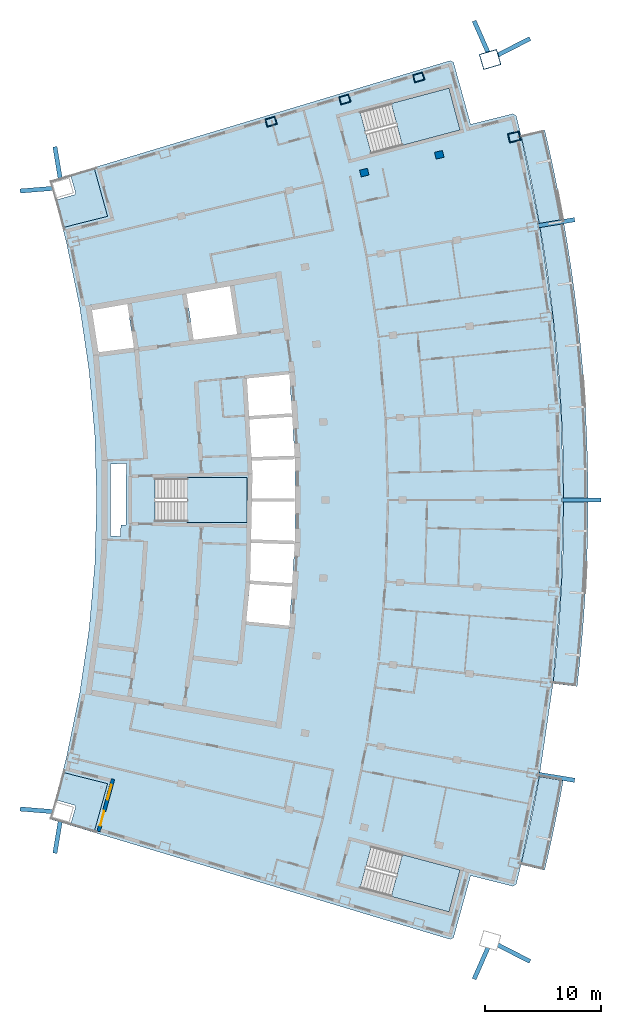
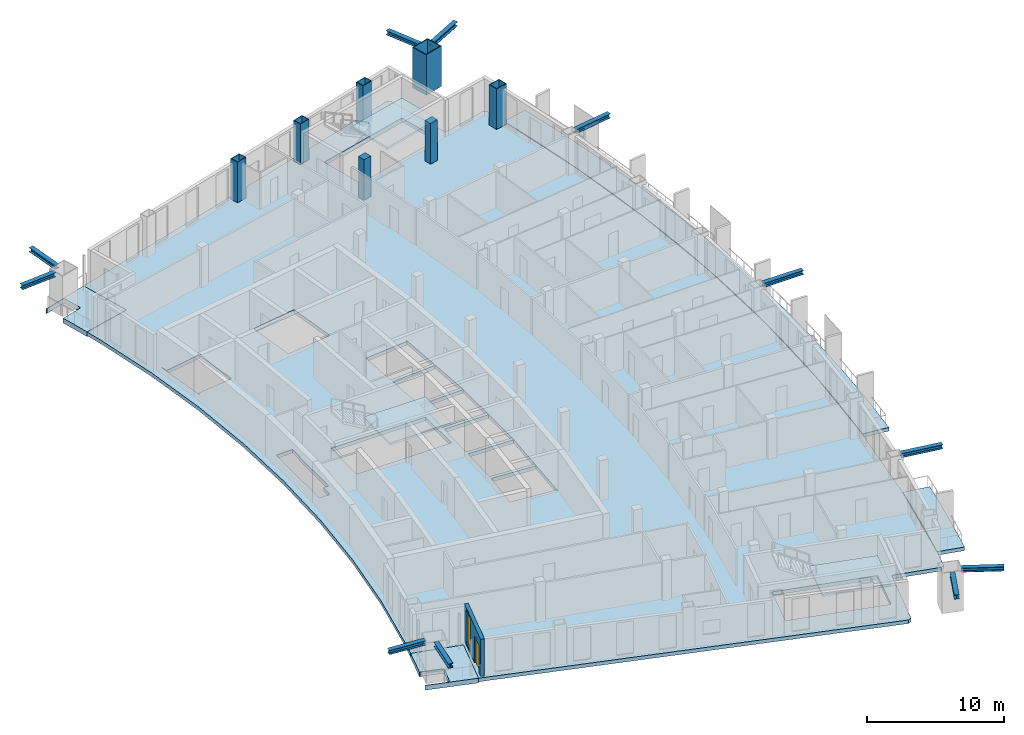
# One storey, part 4 of 15: 11 members, 8 slabs, 7 columns, 1 door, 1 wall, 1 window, 2 openings, 3 elements without a shape of their own.
"""IFC4 building model written with IfcOpenShell, lengths in metres."""

from ifc_helpers import new_model, si_unit, direction, frame, frame_2d, origin, origin_2d, place, context, subcontext, project, spatial, polyline, rectangle, hollow_rectangle, i_section, outline, extrude, material, layer, layer_set, material_profile, profile_set, type_object, element, fill, aggregate, save


model = new_model("IFC4")

# Units and contexts
model_context = context("Model", 3, precision=1e-05, world=origin(), true_north=direction((0.0, 1.0)))
body_context = subcontext(model_context, "Body", "Model", "MODEL_VIEW")
ifc_project = project(units=[si_unit("LENGTHUNIT", "METRE"), si_unit("AREAUNIT", "SQUARE_METRE"), si_unit("VOLUMEUNIT", "CUBIC_METRE"), si_unit("PLANEANGLEUNIT", "RADIAN"), si_unit("MASSUNIT", "GRAM", prefix="KILO")], contexts=[model_context])

# Site, building, storey
site_placement = place(None, origin())
site = spatial("IfcSite", under=ifc_project, at=site_placement, CompositionType="ELEMENT")
building_placement = place(site_placement, origin())
building = spatial("IfcBuilding", under=site, at=building_placement, Name="Alderwake Tower", CompositionType="ELEMENT")
storey_placement = place(building_placement, frame((0.0, 0.0, 285.199951171875)))
storey = spatial("IfcBuildingStorey", under=building, at=storey_placement, Name="L71", CompositionType="ELEMENT", Elevation=285.199951171875)

# Columns
ifc_material_1 = material(Name="Steel ASTM A572 Grade 50 concrete filled C70/85", Category="concrete")
ifc_material_profile_1 = material_profile(ifc_material_1, hollow_rectangle(XDim=0.699951171875, YDim=0.89990234375, WallThickness=0.050048828125, at=origin_2d()), Name="BOX 900X700X50")
ifc_profile_set_1 = profile_set([ifc_material_profile_1], Name="Steel ASTM A572 Grade 50 concrete filled C70/85")
column_type_1 = type_object("IfcColumnType", Name="End column Z5", PredefinedType="COLUMN", material=ifc_profile_set_1)
for number, where, z_axis, x_axis, name in (
    (1, (31.080322265625, 93.72314453125, 0.0), (0.0, 0.0, 1.0), (-0.282582549822, 0.959242984095, 0.0), "Column R12-C2"),
    (2, (37.465576171875, 95.64013671875, 0.0), (0.0, 0.0, 1.0), (-0.282853758087, 0.95916304742, 0.0), "Column R12-C3"),
    (3, (43.8505859375, 97.55712890625, 0.0), (0.0, 0.0, 1.0), (-0.283096487049, 0.95909143413, 0.0), "Column R12-C4"),
):
    element("IfcColumn", number, at=place(storey_placement, frame(where, z_axis=z_axis, x_axis=x_axis)), inside=storey, type_object=column_type_1, Name=name, PredefinedType="COLUMN", context=body_context, shape_type="SweptSolid", body=[
        extrude(hollow_rectangle(XDim=0.699951171875, YDim=0.89990234375, WallThickness=0.050048828125, at=origin_2d()), origin(), (0.0, 0.0, 1.0), 3.60009765625),
    ])
ifc_material_2 = material(Name="Concrete C70/85", Category="concrete")
ifc_material_profile_2 = material_profile(ifc_material_2, rectangle(XDim=0.60009765625, YDim=0.699951171875, at=origin_2d()), Name="RC 700X600")
ifc_profile_set_2 = profile_set([ifc_material_profile_2], Name="Concrete C70/85")
column_type_2 = type_object("IfcColumnType", Name="Interior column Z5", PredefinedType="COLUMN", material=ifc_profile_set_2)
for number, where, z_axis, x_axis, name in (
    (4, (39.14794921875, 89.31689453125, 0.0), (0.0, 0.0, 1.0), (-0.231221547198, 0.972901123502, 0.0), "Column R11-C3"),
    (5, (45.6337890625, 90.8583984375, 0.0), (0.0, 0.0, 1.0), (-0.231221547198, 0.972901123502, 0.0), "Column R11-C4"),
):
    element("IfcColumn", number, at=place(storey_placement, frame(where, z_axis=z_axis, x_axis=x_axis)), inside=storey, type_object=column_type_2, Name=name, PredefinedType="COLUMN", context=body_context, shape_type="SweptSolid", body=[
        extrude(rectangle(XDim=0.60009765625, YDim=0.699951171875, at=origin_2d()), origin(), (0.0, 0.0, 1.0), 3.60009765625),
    ])
ifc_material_3 = material(Name="Steel ASTM A572 Grade 50 concrete filled C70/85", Category="concrete")
ifc_material_profile_3 = material_profile(ifc_material_3, hollow_rectangle(XDim=1.39990234375, YDim=1.60009765625, WallThickness=0.070068359375, at=origin_2d()), Name="BOX 1600X1400X70")
ifc_profile_set_3 = profile_set([ifc_material_profile_3], Name="Steel ASTM A572 Grade 50 concrete filled C70/85")
column_type_3 = type_object("IfcColumnType", Name="Mega column Z5", PredefinedType="COLUMN", material=ifc_profile_set_3)
column_1_placement = place(storey_placement, frame((50.03271484375, 99.101806640625, 0.0), z_axis=(0.0, 0.0, 1.0), x_axis=(-0.281194346997, 0.959650842347, 0.0)))
element("IfcColumn", 6, at=column_1_placement, inside=storey, type_object=column_type_3, Name="Column R12-C5", PredefinedType="COLUMN", context=body_context, shape_type="SweptSolid", body=[
    extrude(hollow_rectangle(XDim=1.39990234375, YDim=1.60009765625, WallThickness=0.070068359375, at=origin_2d()), origin(), (0.0, 0.0, 1.0), 3.60009765625),
])
ifc_material_4 = material(Name="Steel ASTM A572 Grade 50 concrete filled C70/85", Category="concrete")
ifc_material_profile_4 = material_profile(ifc_material_4, hollow_rectangle(XDim=0.800048828125, YDim=1.0, WallThickness=0.054931640625, at=origin_2d()), Name="BOX 1000X800X55")
ifc_profile_set_4 = profile_set([ifc_material_profile_4], Name="Steel ASTM A572 Grade 50 concrete filled C70/85")
column_type_4 = type_object("IfcColumnType", Name="Perimeter column Z5", PredefinedType="COLUMN", material=ifc_profile_set_4)
column_2_placement = place(storey_placement, frame((52.1201171875, 92.39990234375, 0.0), z_axis=(0.0, 0.0, 1.0), x_axis=(-0.231221547198, 0.972901123502, 0.0)))
element("IfcColumn", 7, at=column_2_placement, inside=storey, type_object=column_type_4, Name="Column R11-C5", PredefinedType="COLUMN", context=body_context, shape_type="SweptSolid", body=[
    extrude(hollow_rectangle(XDim=0.800048828125, YDim=1.0, WallThickness=0.054931640625, at=origin_2d()), origin(), (0.0, 0.0, 1.0), 3.60009765625),
])

# Members
ifc_material_5 = material(Name="Steel ASTM A992 Grade 50", Category="steel")
ifc_material_profile_5 = material_profile(ifc_material_5, i_section(OverallWidth=0.3740234375, OverallDepth=0.372314453125, WebThickness=0.016357421875, FlangeThickness=0.026123046875, at=origin_2d()), Name="W14X132")
ifc_profile_set_5 = profile_set([ifc_material_profile_5], Name="Steel ASTM A992 Grade 50")
member_type = type_object("IfcMemberType", Name="Brace node stub W14X132", PredefinedType="MEMBER", material=ifc_profile_set_5)
member_1_placement = place(storey_placement, frame((54.1689453125, 37.27783203125, 3.393798828125), z_axis=(0.986744500227, -0.162281518576, 0.0), x_axis=(0.162281518576, 0.986744500227, 0.0)))
element("IfcMember", 8, at=member_1_placement, inside=storey, type_object=member_type, Name="Brace node stub BS.FR04-C5.2888", PredefinedType="MEMBER", context=body_context, shape_type="SweptSolid", body=[
    extrude(i_section(OverallWidth=0.3740234375, OverallDepth=0.372314453125, WebThickness=0.016357421875, FlangeThickness=0.026123046875, at=origin_2d()), origin(), (0.0, 0.0, 1.0), 3.216552734375),
])
member_2_placement = place(storey_placement, frame((50.702880859375, 22.512939453125, 3.393798828125), z_axis=(0.889855642064, -0.456242190385, 0.0), x_axis=(0.456242190385, 0.889855642064, 0.0)))
element("IfcMember", 9, at=member_2_placement, inside=storey, type_object=member_type, Name="Brace node stub BS.FR02-C5.2888", PredefinedType="MEMBER", context=body_context, shape_type="SweptSolid", body=[
    extrude(i_section(OverallWidth=0.3740234375, OverallDepth=0.372314453125, WebThickness=0.016357421875, FlangeThickness=0.026123046875, at=origin_2d()), origin(), (0.0, 0.0, 1.0), 3.12890625),
])
member_3_placement = place(storey_placement, frame((56.25, 61.0, 3.393798828125), z_axis=(1.0, 0.0, 0.0), x_axis=(0.0, 1.0, 0.0)))
element("IfcMember", 10, at=member_3_placement, inside=storey, type_object=member_type, Name="Brace node stub BS.FR07-C5.2888", PredefinedType="MEMBER", context=body_context, shape_type="SweptSolid", body=[
    extrude(i_section(OverallWidth=0.3740234375, OverallDepth=0.372314453125, WebThickness=0.016357421875, FlangeThickness=0.026123046875, at=origin_2d()), origin(), (0.0, 0.0, 1.0), 3.355712890625),
])
member_4_placement = place(storey_placement, frame((54.1689453125, 84.722412109375, 3.393798828125), z_axis=(0.986768798645, 0.162133704147, 0.0), x_axis=(-0.162133704147, 0.986768798645, 0.0)))
element("IfcMember", 11, at=member_4_placement, inside=storey, type_object=member_type, Name="Brace node stub BS.FR10-C5.2888", PredefinedType="MEMBER", context=body_context, shape_type="SweptSolid", body=[
    extrude(i_section(OverallWidth=0.3740234375, OverallDepth=0.372314453125, WebThickness=0.016357421875, FlangeThickness=0.026123046875, at=origin_2d()), origin(), (0.0, 0.0, 1.0), 3.21630859375),
])
member_5_placement = place(storey_placement, frame((50.702880859375, 99.487060546875, 3.393798828125), z_axis=(0.889855642064, 0.456242190385, 0.0), x_axis=(-0.456242190385, 0.889855642064, 0.0)))
element("IfcMember", 12, at=member_5_placement, inside=storey, type_object=member_type, Name="Brace node stub BS.FR12-C5.2888", PredefinedType="MEMBER", context=body_context, shape_type="SweptSolid", body=[
    extrude(i_section(OverallWidth=0.3740234375, OverallDepth=0.372314453125, WebThickness=0.016357421875, FlangeThickness=0.026123046875, at=origin_2d()), origin(), (0.0, 0.0, 1.0), 3.12890625),
])
for number, where, z_axis, x_axis, name in (
    (13, (12.291015625, 34.03759765625, 3.393798828125), (-0.996746517299, 0.080600125633, 0.0), (-0.080600125633, -0.996746517299, 0.0), "Brace node stub BS.RR02-C0.2888"),
    (14, (12.291015625, 87.96240234375, 3.393798828125), (-0.996746517299, -0.080600125633, 0.0), (0.080600125633, -0.996746517299, 0.0), "Brace node stub BS.RR12-C0.2888"),
):
    element("IfcMember", number, at=place(storey_placement, frame(where, z_axis=z_axis, x_axis=x_axis)), inside=storey, type_object=member_type, Name=name, PredefinedType="MEMBER", context=body_context, shape_type="SweptSolid", body=[
        extrude(i_section(OverallWidth=0.3740234375, OverallDepth=0.372314453125, WebThickness=0.016357421875, FlangeThickness=0.026123046875, at=origin_2d()), origin(), (0.0, 0.0, 1.0), 2.9169921875),
    ])
member_6_placement = place(storey_placement, frame((49.84619140625, 22.275390625, 3.393798828125), z_axis=(-0.403360963205, -0.915040946276, 0.0), x_axis=(0.915040946276, -0.403360963205, 0.0)))
element("IfcMember", 15, at=member_6_placement, inside=storey, type_object=member_type, Name="Brace node stub BS.SR02-C5.2888", PredefinedType="MEMBER", context=body_context, shape_type="SweptSolid", body=[
    extrude(i_section(OverallWidth=0.3740234375, OverallDepth=0.372314453125, WebThickness=0.016357421875, FlangeThickness=0.026123046875, at=origin_2d()), origin(), (0.0, 0.0, 1.0), 2.970703125),
])
member_7_placement = place(storey_placement, frame((12.876953125, 33.379638671875, 3.393798828125), z_axis=(-0.164359087732, -0.986400572932, 0.0), x_axis=(0.986400572932, -0.164359087732, 0.0)))
element("IfcMember", 16, at=member_7_placement, inside=storey, type_object=member_type, Name="Brace node stub BS.SR02-C0.2888", PredefinedType="MEMBER", context=body_context, shape_type="SweptSolid", body=[
    extrude(i_section(OverallWidth=0.3740234375, OverallDepth=0.372314453125, WebThickness=0.016357421875, FlangeThickness=0.026123046875, at=origin_2d()), origin(), (0.0, 0.0, 1.0), 2.976806640625),
])
member_8_placement = place(storey_placement, frame((49.84619140625, 99.724609375, 3.393798828125), z_axis=(-0.403360963205, 0.915040946276, 0.0), x_axis=(-0.915040946276, -0.403360963205, 0.0)))
element("IfcMember", 17, at=member_8_placement, inside=storey, type_object=member_type, Name="Brace node stub BS.NR12-C5.2888", PredefinedType="MEMBER", context=body_context, shape_type="SweptSolid", body=[
    extrude(i_section(OverallWidth=0.3740234375, OverallDepth=0.372314453125, WebThickness=0.016357421875, FlangeThickness=0.026123046875, at=origin_2d()), origin(), (0.0, 0.0, 1.0), 2.970703125),
])
member_9_placement = place(storey_placement, frame((12.876953125, 88.620361328125, 3.393798828125), z_axis=(-0.164359087732, 0.986400572932, 0.0), x_axis=(-0.986400572932, -0.164359087732, 0.0)))
element("IfcMember", 18, at=member_9_placement, inside=storey, type_object=member_type, Name="Brace node stub BS.NR12-C0.2888", PredefinedType="MEMBER", context=body_context, shape_type="SweptSolid", body=[
    extrude(i_section(OverallWidth=0.3740234375, OverallDepth=0.372314453125, WebThickness=0.016357421875, FlangeThickness=0.026123046875, at=origin_2d()), origin(), (0.0, 0.0, 1.0), 2.976806640625),
])

# Slabs
ifc_material_6 = material(Name="Concrete C50/60", Category="concrete")
ifc_layer_1 = layer(ifc_material_6, 0.320068359375)
ifc_layer_set_1 = layer_set([ifc_layer_1], Name="Balcony slab 320")
slab_type_1 = type_object("IfcSlabType", Name="Balcony slab 320", PredefinedType="FLOOR", material=ifc_layer_set_1)
slab_1_placement = place(storey_placement, frame((0.0, 0.0, -0.320068359375)))
element("IfcSlab", 19, at=slab_1_placement, inside=storey, type_object=slab_type_1, Name="Balcony BF03", PredefinedType="FLOOR", context=body_context, shape_type="SweptSolid", body=[
    extrude(outline(polyline([(52.70361328125, 29.461181640625), (54.746826171875, 28.975830078125), (55.199462890625, 30.944091796875), (55.623291015625, 32.9189453125), (56.0185546875, 34.899658203125), (56.384521484375, 36.885986328125), (54.316650390625, 37.251708984375), (53.9560546875, 35.29541015625), (53.56689453125, 33.3447265625), (53.1494140625, 31.39990234375), (52.70361328125, 29.461181640625)])), origin(), (0.0, 0.0, 1.0), 0.320068359375),
])
slab_2_placement = place(storey_placement, frame((0.0, 0.0, -0.320068359375)))
element("IfcSlab", 20, at=slab_2_placement, inside=storey, type_object=slab_type_1, Name="Balcony BF05", PredefinedType="FLOOR", context=body_context, shape_type="SweptSolid", body=[
    extrude(outline(polyline([(57.779052734375, 46.885986328125), (57.97021484375, 48.896728515625), (58.132080078125, 50.909912109375), (58.264404296875, 52.92529296875), (58.367431640625, 54.942626953125), (58.441162109375, 56.9609375), (58.4853515625, 58.980224609375), (58.5, 61.0), (58.4853515625, 63.019775390625), (58.441162109375, 65.0390625), (58.367431640625, 67.057373046875), (58.264404296875, 69.07470703125), (58.132080078125, 71.090087890625), (57.97021484375, 73.103271484375), (57.779052734375, 75.114013671875), (57.55859375, 77.12158203125), (57.308837890625, 79.1259765625), (57.02978515625, 81.12646484375), (56.7216796875, 83.12255859375), (56.384521484375, 85.114013671875), (56.0185546875, 87.100341796875), (55.623291015625, 89.0810546875), (55.199462890625, 91.055908203125), (54.746826171875, 93.024169921875), (52.70361328125, 92.538818359375), (53.1494140625, 90.60009765625), (53.56689453125, 88.6552734375), (53.9560546875, 86.70458984375), (54.316650390625, 84.748291015625), (54.648681640625, 82.787109375), (54.9521484375, 80.8212890625), (55.226806640625, 78.85107421875), (55.472900390625, 76.877197265625), (55.68994140625, 74.89990234375), (55.878173828125, 72.919921875), (56.03759765625, 70.93701171875), (56.16796875, 68.9521484375), (56.26953125, 66.965576171875), (56.342041015625, 64.977783203125), (56.385498046875, 62.989013671875), (56.39990234375, 61.0), (56.385498046875, 59.010986328125), (56.342041015625, 57.022216796875), (56.26953125, 55.034423828125), (56.16796875, 53.0478515625), (56.03759765625, 51.06298828125), (55.878173828125, 49.080078125), (55.68994140625, 47.10009765625), (55.472900390625, 45.122802734375), (57.55859375, 44.87841796875), (57.779052734375, 46.885986328125)])), origin(), (0.0, 0.0, 1.0), 0.320068359375),
])
ifc_material_7 = material(Name="Concrete C50/60", Category="concrete")
ifc_layer_2 = layer(ifc_material_7, 0.320068359375)
ifc_layer_set_2 = layer_set([ifc_layer_2], Name="Concrete C50/60 post-tensioned flat plate 320")
slab_type_2 = type_object("IfcSlabType", Name="Concrete C50/60 post-tensioned flat plate 320", PredefinedType="FLOOR", material=ifc_layer_set_2)
slab_3_placement = place(storey_placement, frame((0.0, 0.0, -0.320068359375)))
element("IfcSlab", 21, at=slab_3_placement, inside=storey, type_object=slab_type_2, Name="Floor slab L71", PredefinedType="FLOOR", context=body_context, shape_type="SweptSolid", body=[
    extrude(outline(polyline([(13.06494140625, 37.443115234375), (13.3984375, 38.802734375), (14.53369140625, 44.28564453125), (15.347412109375, 49.825439453125), (15.836669921875, 55.4033203125), (16.0, 61.0), (15.836669921875, 66.5966796875), (15.347412109375, 72.174560546875), (14.53369140625, 77.71435546875), (13.3984375, 83.197265625), (13.06494140625, 84.556884765625), (16.942626953125, 85.53857421875), (15.776611328125, 89.7548828125), (46.587890625, 99.00537109375), (46.869384765625, 98.849853515625), (48.35205078125, 93.489013671875), (52.006591796875, 94.4140625), (52.284423828125, 94.2470703125), (52.70361328125, 92.538818359375), (54.316650390625, 84.748291015625), (55.472900390625, 76.877197265625), (56.16796875, 68.9521484375), (56.39990234375, 61.0), (56.16796875, 53.0478515625), (55.472900390625, 45.122802734375), (54.316650390625, 37.251708984375), (52.70361328125, 29.461181640625), (52.284423828125, 27.7529296875), (52.006591796875, 27.5859375), (48.35205078125, 28.510986328125), (46.869384765625, 23.150146484375), (46.587890625, 22.99462890625), (15.776611328125, 32.2451171875), (16.942626953125, 36.46142578125), (13.06494140625, 37.443115234375)]), holes=[polyline([(29.2578125, 53.77197265625), (28.9365234375, 50.4912109375), (32.646484375, 50.128173828125), (32.6318359375, 49.978759765625), (32.661865234375, 49.975830078125), (32.90087890625, 53.64794921875), (33.139892578125, 57.320068359375), (33.139892578125, 61.0), (33.139892578125, 64.679931640625), (32.90087890625, 68.35205078125), (32.661865234375, 72.024169921875), (32.6318359375, 72.021240234375), (32.646484375, 71.871826171875), (28.886962890625, 71.50390625), (28.88720703125, 71.50048828125), (28.99462890625, 71.506591796875), (29.184814453125, 68.26025390625), (32.861083984375, 68.499755859375), (32.87109375, 68.35009765625), (32.880615234375, 68.200439453125), (29.2021484375, 67.960693359375), (29.392578125, 64.7080078125), (33.105224609375, 64.828857421875), (33.110107421875, 64.678955078125), (33.114990234375, 64.529052734375), (29.41015625, 64.408447265625), (29.4765625, 63.27685546875), (29.429443359375, 61.14990234375), (33.110107421875, 61.14990234375), (33.110107421875, 61.0), (33.110107421875, 60.85009765625), (29.4228515625, 60.85009765625), (29.350830078125, 57.593505859375), (33.114990234375, 57.470947265625), (33.110107421875, 57.321044921875), (33.105224609375, 57.171142578125), (29.34423828125, 57.29345703125), (29.2705078125, 53.969482421875), (29.274169921875, 53.969482421875), (29.2783203125, 54.0341796875), (32.880615234375, 53.799560546875), (32.87109375, 53.64990234375), (32.861083984375, 53.500244140625), (29.2587890625, 53.73486328125), (29.26123046875, 53.771728515625), (29.2578125, 53.77197265625)]), polyline([(21.050048828125, 62.875), (21.050048828125, 59.125), (29.0, 59.125), (29.0, 62.875), (21.050048828125, 62.875)]), polyline([(15.54345703125, 77.892822265625), (15.437744140625, 77.874267578125), (15.4384765625, 77.87060546875), (15.519287109375, 77.8828125), (16.180908203125, 73.579833984375), (16.210693359375, 73.583740234375), (16.184814453125, 73.781982421875), (19.224609375, 74.1796875), (18.656005859375, 77.940673828125), (18.852294921875, 77.97021484375), (18.8505859375, 77.980224609375), (15.626220703125, 77.418212890625), (15.54345703125, 77.892822265625)]), polyline([(27.521240234375, 79.491943359375), (23.77783203125, 78.83935546875), (24.384033203125, 74.858642578125), (24.3642578125, 74.855712890625), (24.36474609375, 74.851806640625), (28.152587890625, 75.347412109375), (27.521240234375, 79.491943359375)]), polyline([(47.436279296875, 28.996826171875), (39.754150390625, 31.043212890625), (38.7890625, 27.41943359375), (46.47119140625, 25.373291015625), (47.436279296875, 28.996826171875)]), polyline([(46.47119140625, 96.626708984375), (38.7890625, 94.58056640625), (39.754150390625, 90.956787109375), (47.436279296875, 93.003173828125), (46.47119140625, 96.626708984375)]), polyline([(17.189453125, 64.114990234375), (17.189453125, 57.885009765625), (18.06298828125, 57.85400390625), (18.090576171875, 58.84375), (18.544189453125, 58.831298828125), (18.529296875, 58.8681640625), (18.5234375, 58.891845703125), (18.5185546875, 58.940673828125), (18.5185546875, 63.060302734375), (18.5234375, 63.109130859375), (18.53759765625, 63.156005859375), (18.560791015625, 63.19921875), (18.588623046875, 63.2333984375), (18.562744140625, 64.16357421875), (17.189453125, 64.114990234375)])]), origin(), (0.0, 0.0, 1.0), 0.320068359375),
])

# Stair, slab
ifc_material_8 = material(Name="Concrete C40/50", Category="concrete")
stair_type = type_object("IfcStairType", Name="Core exit stair", PredefinedType="HALF_TURN_STAIR", material=ifc_material_8)
stair_1_placement = place(storey_placement, origin())
stair_1 = element("IfcStair", 22, at=stair_1_placement, inside=storey, type_object=stair_type, Name="L71 Exit Stair B", PredefinedType="HALF_TURN_STAIR")
ifc_material_9 = material(Name="Concrete C40/50", Category="concrete")
ifc_layer_3 = layer(ifc_material_9, 0.199951171875)
ifc_layer_set_3 = layer_set([ifc_layer_3], Name="Core stair landing 200")
slab_type_3 = type_object("IfcSlabType", Name="Core stair landing 200", PredefinedType="LANDING", material=ifc_layer_set_3)
slab_4_placement = place(storey_placement, frame((0.0, 0.0, 1.60009765625)))
slab_4 = element("IfcSlab", 23, at=slab_4_placement, type_object=slab_type_3, Name="ST-B landing 1", PredefinedType="LANDING", context=body_context, shape_type="SweptSolid", body=[
    extrude(outline(polyline([(23.830078125, 59.074951171875), (29.0, 59.074951171875), (29.0, 62.925048828125), (23.830078125, 62.925048828125), (23.830078125, 59.074951171875)])), origin(), (0.0, 0.0, 1.0), 0.199951171875),
])
aggregate(stair_1, [slab_4])

stair_2_placement = place(storey_placement, origin())
stair_2 = element("IfcStair", 24, at=stair_2_placement, inside=storey, type_object=stair_type, Name="L71 Exit Stair A", PredefinedType="HALF_TURN_STAIR")
slab_5_placement = place(storey_placement, frame((0.0, 0.0, 1.60009765625)))
slab_5 = element("IfcSlab", 25, at=slab_5_placement, type_object=slab_type_3, Name="ST-A landing 1", PredefinedType="LANDING", context=body_context, shape_type="SweptSolid", body=[
    extrude(outline(polyline([(42.440673828125, 91.67236328125), (47.436279296875, 93.003173828125), (46.47119140625, 96.626708984375), (41.475341796875, 95.296142578125), (42.440673828125, 91.67236328125)])), origin(), (0.0, 0.0, 1.0), 0.199951171875),
])
aggregate(stair_2, [slab_5])

stair_3_placement = place(storey_placement, origin())
stair_3 = element("IfcStair", 26, at=stair_3_placement, inside=storey, type_object=stair_type, Name="L71 Exit Stair C", PredefinedType="HALF_TURN_STAIR")
slab_6_placement = place(storey_placement, frame((0.0, 0.0, 1.60009765625)))
slab_6 = element("IfcSlab", 27, at=slab_6_placement, type_object=slab_type_3, Name="ST-C landing 1", PredefinedType="LANDING", context=body_context, shape_type="SweptSolid", body=[
    extrude(outline(polyline([(41.475341796875, 26.703857421875), (46.47119140625, 25.373291015625), (47.436279296875, 28.996826171875), (42.4404296875, 30.32763671875), (41.475341796875, 26.703857421875)])), origin(), (0.0, 0.0, 1.0), 0.199951171875),
])
aggregate(stair_3, [slab_6])

# Slabs
ifc_material_10 = material(Name="Concrete C50/60", Category="concrete")
ifc_layer_4 = layer(ifc_material_10, 0.419921875)
ifc_layer_set_4 = layer_set([ifc_layer_4], Name="Terrace slab 420")
slab_type_4 = type_object("IfcSlabType", Name="Terrace slab 420", PredefinedType="FLOOR", material=ifc_layer_set_4)
slab_7_placement = place(storey_placement, frame((0.0, 0.0, -0.419921875)))
element("IfcSlab", 28, at=slab_7_placement, inside=storey, type_object=slab_type_4, Name="Corner terrace RS", PredefinedType="FLOOR", context=body_context, shape_type="SweptSolid", body=[
    extrude(outline(polyline([(15.776611328125, 32.2451171875), (11.945556640625, 33.395263671875), (11.9697265625, 33.478271484375), (11.97607421875, 33.46826171875), (11.985107421875, 33.456298828125), (11.9951171875, 33.44580078125), (12.006103515625, 33.435791015625), (12.017822265625, 33.42724609375), (12.03076171875, 33.419921875), (12.0439453125, 33.413818359375), (12.05810546875, 33.408935546875), (13.594482421875, 32.963134765625), (13.60888671875, 32.959716796875), (13.62353515625, 32.957763671875), (13.63818359375, 32.957275390625), (13.65283203125, 32.9580078125), (13.66748046875, 32.96044921875), (13.681640625, 32.964111328125), (13.695556640625, 32.969482421875), (13.708740234375, 32.975830078125), (13.72119140625, 32.9833984375), (13.73291015625, 32.992431640625), (13.74365234375, 33.00244140625), (13.75341796875, 33.013427734375), (13.76220703125, 33.025390625), (13.76953125, 33.0380859375), (13.775634765625, 33.051513671875), (13.780517578125, 33.0654296875), (14.17041015625, 34.409912109375), (14.173828125, 34.42431640625), (14.17578125, 34.43896484375), (14.176513671875, 34.45361328125), (14.175537109375, 34.46826171875), (14.173095703125, 34.48291015625), (14.16943359375, 34.4970703125), (14.164306640625, 34.510986328125), (14.157958984375, 34.524169921875), (14.150146484375, 34.53662109375), (14.14111328125, 34.54833984375), (14.131103515625, 34.55908203125), (14.1201171875, 34.56884765625), (14.1083984375, 34.577392578125), (14.095458984375, 34.5849609375), (14.082275390625, 34.591064453125), (14.068115234375, 34.595947265625), (12.531494140625, 35.04150390625), (12.517333984375, 35.044921875), (12.502685546875, 35.047119140625), (12.488037109375, 35.047607421875), (12.473388671875, 35.046630859375), (12.458740234375, 35.044189453125), (12.444580078125, 35.04052734375), (12.4306640625, 35.035400390625), (12.418701171875, 35.029541015625), (12.71142578125, 36.08837890625), (13.06494140625, 37.443115234375), (16.942626953125, 36.46142578125), (15.776611328125, 32.2451171875)])), origin(), (0.0, 0.0, 1.0), 0.419921875),
])
slab_8_placement = place(storey_placement, frame((0.0, 0.0, -0.419921875)))
element("IfcSlab", 29, at=slab_8_placement, inside=storey, type_object=slab_type_4, Name="Corner terrace RN", PredefinedType="FLOOR", context=body_context, shape_type="SweptSolid", body=[
    extrude(outline(polyline([(12.418701171875, 86.970458984375), (12.4306640625, 86.964599609375), (12.444580078125, 86.95947265625), (12.458740234375, 86.955810546875), (12.473388671875, 86.953369140625), (12.488037109375, 86.952392578125), (12.502685546875, 86.952880859375), (12.517333984375, 86.955078125), (12.531494140625, 86.95849609375), (14.068115234375, 87.404052734375), (14.082275390625, 87.408935546875), (14.095458984375, 87.4150390625), (14.1083984375, 87.422607421875), (14.1201171875, 87.43115234375), (14.131103515625, 87.44091796875), (14.14111328125, 87.45166015625), (14.150146484375, 87.46337890625), (14.157958984375, 87.475830078125), (14.164306640625, 87.489013671875), (14.16943359375, 87.5029296875), (14.173095703125, 87.51708984375), (14.175537109375, 87.53173828125), (14.176513671875, 87.54638671875), (14.17578125, 87.56103515625), (14.173828125, 87.57568359375), (14.17041015625, 87.590087890625), (13.780517578125, 88.9345703125), (13.775634765625, 88.948486328125), (13.76953125, 88.9619140625), (13.76220703125, 88.974609375), (13.75341796875, 88.986572265625), (13.74365234375, 88.99755859375), (13.73291015625, 89.007568359375), (13.72119140625, 89.0166015625), (13.708740234375, 89.024169921875), (13.695556640625, 89.030517578125), (13.681640625, 89.035888671875), (13.66748046875, 89.03955078125), (13.65283203125, 89.0419921875), (13.63818359375, 89.042724609375), (13.62353515625, 89.042236328125), (13.60888671875, 89.040283203125), (13.594482421875, 89.036865234375), (12.05810546875, 88.591064453125), (12.0439453125, 88.586181640625), (12.03076171875, 88.580078125), (12.017822265625, 88.57275390625), (12.006103515625, 88.564208984375), (11.9951171875, 88.55419921875), (11.985107421875, 88.543701171875), (11.97607421875, 88.53173828125), (11.9697265625, 88.521728515625), (11.945556640625, 88.604736328125), (15.776611328125, 89.7548828125), (16.942626953125, 85.53857421875), (13.06494140625, 84.556884765625), (12.71142578125, 85.91162109375), (12.418701171875, 86.970458984375)])), origin(), (0.0, 0.0, 1.0), 0.419921875),
])

# Wall, openings, door, window
ifc_material_11 = material(Name="Bronze metal cladding on lightweight framing")
ifc_layer_5 = layer(ifc_material_11, 0.300048828125)
ifc_layer_set_5 = layer_set([ifc_layer_5], Name="External wall EW2 bronze metal cladding")
wall_type = type_object("IfcWallType", Name="External wall EW2 bronze metal cladding", PredefinedType="SOLIDWALL", material=ifc_layer_set_5)
wall_placement = place(storey_placement, frame((17.410400390625, 36.85888671875, 0.0), z_axis=(0.0, 0.0, 1.0), x_axis=(-0.264592640785, -0.96436027212, 0.0)))
wall = element("IfcWall", 30, at=wall_placement, inside=storey, type_object=wall_type, Name="External wall 3", PredefinedType="SOLIDWALL", context=body_context, shape_type="SweptSolid", body=[
    extrude(rectangle(XDim=4.690185546875, YDim=0.300048828125, at=frame_2d((2.34521484375, 0.0))), origin(), (0.0, 0.0, 1.0), 3.280029296875),
])
opening_1_placement = place(wall_placement, frame((0.5224609375, 0.0, 0.199951171875)))
opening_1 = element("IfcOpeningElement", 31, at=opening_1_placement, cuts=wall, Name="Opening W1", PredefinedType="OPENING", context=body_context, shape_type="SweptSolid", body=[
    extrude(rectangle(XDim=1.300048828125, YDim=2.89990234375, at=frame_2d((0.64990234375, 1.449951171875))), frame((0.0, 0.159912109375, 0.0), z_axis=(0.0, -1.0, 0.0), x_axis=(1.0, 0.0, 0.0)), (0.0, 0.0, 1.0), 0.320068359375),
])
opening_2_placement = place(wall_placement, frame((2.867431640625, 0.0, 0.0)))
opening_2 = element("IfcOpeningElement", 32, at=opening_2_placement, cuts=wall, Name="Opening D01", PredefinedType="OPENING", context=body_context, shape_type="SweptSolid", body=[
    extrude(rectangle(XDim=1.300048828125, YDim=2.39990234375, at=frame_2d((0.64990234375, 1.199951171875))), frame((0.0, 0.159912109375, 0.0), z_axis=(0.0, -1.0, 0.0), x_axis=(1.0, 0.0, 0.0)), (0.0, 0.0, 1.0), 0.320068359375),
])
ifc_material_12 = material(Name="Bronze tinted glass in aluminium frame", Category="aluminium")
door_type = type_object("IfcDoorType", Name="Balcony door BD sliding", OperationType="SLIDING_TO_LEFT", PredefinedType="DOOR", material=ifc_material_12)
door_placement = place(opening_2_placement, origin())
door = element("IfcDoor", 33, at=door_placement, inside=storey, type_object=door_type, Name="Door D01", OperationType="SLIDING_TO_LEFT", OverallHeight=2.39990234375, OverallWidth=1.300048828125, PredefinedType="DOOR", context=body_context, shape_type="SweptSolid", body=[
    extrude(rectangle(XDim=1.300048828125, YDim=2.39990234375, at=frame_2d((0.64990234375, 1.199951171875))), frame((0.0, 0.02490234375, 0.0), z_axis=(0.0, -1.0, 0.0), x_axis=(1.0, 0.0, 0.0)), (0.0, 0.0, 1.0), 0.050048828125),
])
fill(opening_2, door)
ifc_material_13 = material(Name="Bronze tinted glass in aluminium frame", Category="aluminium")
window_type = type_object("IfcWindowType", Name="Window W1 tall fixed and vent", PartitioningType="DOUBLE_PANEL_VERTICAL", PredefinedType="WINDOW", material=ifc_material_13)
window_placement = place(opening_1_placement, origin())
window = element("IfcWindow", 34, at=window_placement, inside=storey, type_object=window_type, Name="Window W1 tall fixed and vent", OverallHeight=2.89990234375, OverallWidth=1.300048828125, PartitioningType="DOUBLE_PANEL_VERTICAL", PredefinedType="WINDOW", context=body_context, shape_type="SweptSolid", body=[
    extrude(rectangle(XDim=1.300048828125, YDim=2.89990234375, at=frame_2d((0.64990234375, 1.449951171875))), frame((0.0, 0.030029296875, 0.0), z_axis=(0.0, -1.0, 0.0), x_axis=(1.0, 0.0, 0.0)), (0.0, 0.0, 1.0), 0.06005859375),
])
fill(opening_1, window)

save(model, "model.ifc")
